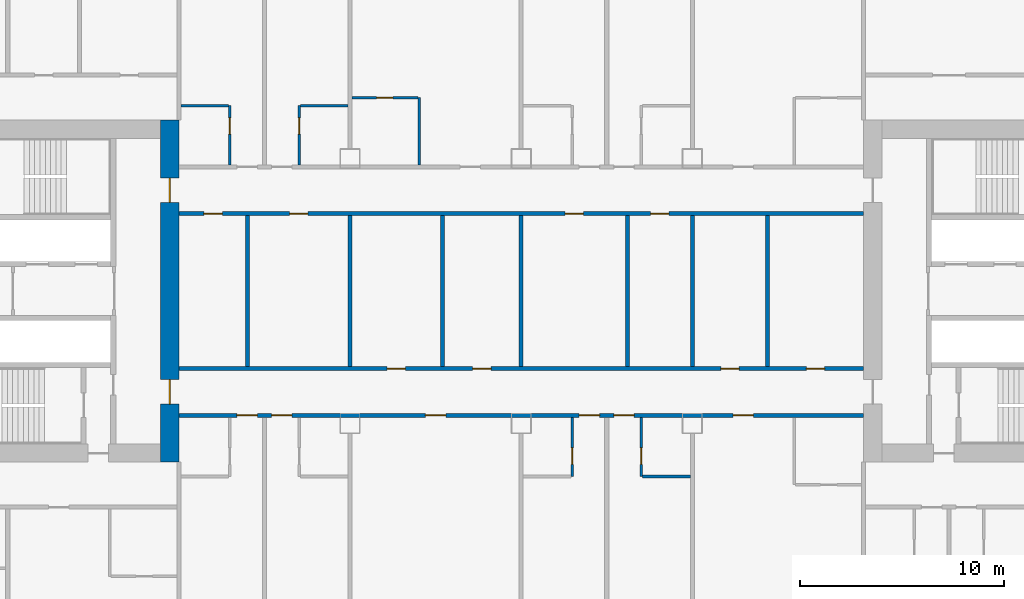
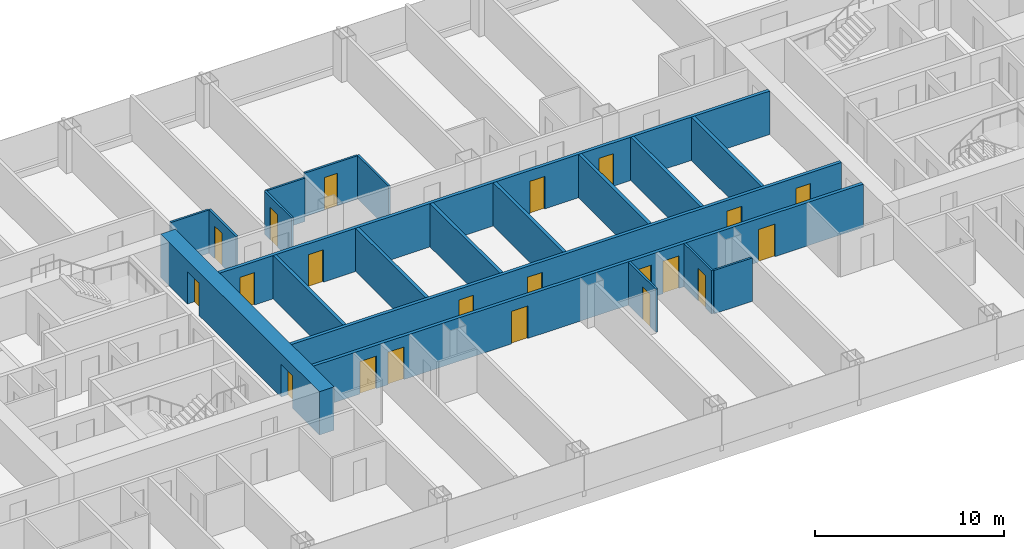
# One storey, part 16 of 29: 21 doors, 20 walls, 21 openings.
"""IFC4 building model written with IfcOpenShell, lengths in metres."""

from ifc_helpers import new_model, si_unit, direction, frame, frame_2d, origin, place, context, subcontext, project, spatial, rectangle, extrude, material, layer, layer_set, type_object, element, fill, save


model = new_model("IFC4")

# Units and contexts
model_context = context("Model", 3, precision=1e-05, world=origin(), true_north=direction((0.0, 1.0)))
body_context = subcontext(model_context, "Body", "Model", "MODEL_VIEW")
ifc_project = project(units=[si_unit("LENGTHUNIT", "METRE"), si_unit("AREAUNIT", "SQUARE_METRE"), si_unit("VOLUMEUNIT", "CUBIC_METRE"), si_unit("PLANEANGLEUNIT", "RADIAN"), si_unit("MASSUNIT", "GRAM", prefix="KILO")], contexts=[model_context])

# Site, building, storey
site_placement = place(None, origin())
site = spatial("IfcSite", under=ifc_project, at=site_placement, CompositionType="ELEMENT")
building_placement = place(site_placement, origin())
building = spatial("IfcBuilding", under=site, at=building_placement, Name="Hakoniwa Tower and Hamabe Station Hall", CompositionType="ELEMENT")
storey_placement = place(building_placement, frame((0.0, 0.0, 29.39990234375)))
storey = spatial("IfcBuildingStorey", under=building, at=storey_placement, Name="L07", CompositionType="ELEMENT", Elevation=29.39990234375)

# Walls
ifc_material_1 = material(Name="Gypsum board partition", Category="gypsum")
ifc_layer_1 = layer(ifc_material_1, 0.125)
ifc_layer_set_1 = layer_set([ifc_layer_1], Name="Bathroom Partition 125")
wall_type_1 = type_object("IfcWallType", Name="Bathroom Partition 125", PredefinedType="PARTITIONING", material=ifc_layer_set_1)
wall_1_placement = place(storey_placement, frame((5.96240234375, -9.10009765625, 0.0), z_axis=(0.0, 0.0, 1.0), x_axis=(1.0, 0.0, 0.0)))
element("IfcWall", 1, at=wall_1_placement, inside=storey, type_object=wall_type_1, Name="GW-L07-018", PredefinedType="PARTITIONING", context=body_context, shape_type="SweptSolid", body=[
    extrude(rectangle(XDim=2.337646484375, YDim=0.125, at=frame_2d((1.1689453125, 0.0))), origin(), (0.0, 0.0, 1.0), 2.800048828125),
])
for number, where, z_axis, x_axis, name in (
    (2, (-16.699951171875, 9.10009765625, 0.0), (0.0, 0.0, 1.0), (1.0, 0.0, 0.0), "GW-L07-035"),
    (3, (-10.83740234375, 9.10009765625, 0.0), (0.0, 0.0, 1.0), (1.0, 0.0, 0.0), "GW-L07-036"),
):
    element("IfcWall", number, at=place(storey_placement, frame(where, z_axis=z_axis, x_axis=x_axis)), inside=storey, type_object=wall_type_1, Name=name, PredefinedType="PARTITIONING", context=body_context, shape_type="SweptSolid", body=[
        extrude(rectangle(XDim=2.33740234375, YDim=0.125, at=frame_2d((1.168701171875, 0.0))), origin(), (0.0, 0.0, 1.0), 2.800048828125),
    ])

# Wall, opening, door
wall_2_placement = place(storey_placement, frame((-8.300048828125, 9.5, 0.0), z_axis=(0.0, 0.0, 1.0), x_axis=(1.0, 0.0, 0.0)))
wall_2 = element("IfcWall", 4, at=wall_2_placement, inside=storey, type_object=wall_type_1, Name="GW-L07-039", PredefinedType="PARTITIONING", context=body_context, shape_type="SweptSolid", body=[
    extrude(rectangle(XDim=3.237548828125, YDim=0.125, at=frame_2d((1.61865234375, 0.0))), origin(), (0.0, 0.0, 1.0), 2.800048828125),
])
opening_1_placement = place(wall_2_placement, frame((1.199951171875, 0.0, 0.0)))
opening_1 = element("IfcOpeningElement", 5, at=opening_1_placement, cuts=wall_2, Name="Opening GD-G1D0-48", PredefinedType="OPENING", context=body_context, shape_type="SweptSolid", body=[
    extrude(rectangle(XDim=0.800048828125, YDim=2.10009765625, at=frame_2d((0.39990234375, 1.050048828125))), frame((0.0, 0.072509765625, 0.0), z_axis=(0.0, -1.0, 0.0), x_axis=(1.0, 0.0, 0.0)), (0.0, 0.0, 1.0), 0.14501953125),
])
ifc_material_2 = material(Name="Timber door leaf", Category="wood")
door_type_1 = type_object("IfcDoorType", Name="Bathroom Door 800", OperationType="SINGLE_SWING_LEFT", PredefinedType="DOOR", material=ifc_material_2)
door_1_placement = place(opening_1_placement, origin())
door_1 = element("IfcDoor", 6, at=door_1_placement, inside=storey, type_object=door_type_1, Name="Door GD-G1D0-48", OperationType="SINGLE_SWING_LEFT", OverallHeight=2.10009765625, OverallWidth=0.800048828125, PredefinedType="DOOR", context=body_context, shape_type="SweptSolid", body=[
    extrude(rectangle(XDim=0.800048828125, YDim=2.10009765625, at=frame_2d((0.39990234375, 1.050048828125))), frame((0.0, 0.02490234375, 0.0), z_axis=(0.0, -1.0, 0.0), x_axis=(1.0, 0.0, 0.0)), (0.0, 0.0, 1.0), 0.050048828125),
])
fill(opening_1, door_1)

wall_3_placement = place(storey_placement, frame((-14.300048828125, 6.199951171875, 0.0), z_axis=(0.0, 0.0, 1.0), x_axis=(0.0, 1.0, 0.0)))
wall_3 = element("IfcWall", 7, at=wall_3_placement, inside=storey, type_object=wall_type_1, Name="GW-L07-067", PredefinedType="PARTITIONING", context=body_context, shape_type="SweptSolid", body=[
    extrude(rectangle(XDim=2.900146484375, YDim=0.125, at=frame_2d((1.4501953125, 0.0))), origin(), (0.0, 0.0, 1.0), 2.800048828125),
])
opening_2_placement = place(wall_3_placement, frame((1.5, 0.0, 0.0)))
opening_2 = element("IfcOpeningElement", 8, at=opening_2_placement, cuts=wall_3, Name="Opening GD-G1D0-67", PredefinedType="OPENING", context=body_context, shape_type="SweptSolid", body=[
    extrude(rectangle(XDim=0.800048828125, YDim=2.10009765625, at=frame_2d((0.39990234375, 1.050048828125))), frame((0.0, 0.072509765625, 0.0), z_axis=(0.0, -1.0, 0.0), x_axis=(1.0, 0.0, 0.0)), (0.0, 0.0, 1.0), 0.14501953125),
])
door_2_placement = place(opening_2_placement, origin())
door_2 = element("IfcDoor", 9, at=door_2_placement, inside=storey, type_object=door_type_1, Name="Door GD-G1D0-67", OperationType="SINGLE_SWING_LEFT", OverallHeight=2.10009765625, OverallWidth=0.800048828125, PredefinedType="DOOR", context=body_context, shape_type="SweptSolid", body=[
    extrude(rectangle(XDim=0.800048828125, YDim=2.10009765625, at=frame_2d((0.39990234375, 1.050048828125))), frame((0.0, 0.02490234375, 0.0), z_axis=(0.0, -1.0, 0.0), x_axis=(1.0, 0.0, 0.0)), (0.0, 0.0, 1.0), 0.050048828125),
])
fill(opening_2, door_2)

wall_4_placement = place(storey_placement, frame((-10.89990234375, 6.199951171875, 0.0), z_axis=(0.0, 0.0, 1.0), x_axis=(0.0, 1.0, 0.0)))
wall_4 = element("IfcWall", 10, at=wall_4_placement, inside=storey, type_object=wall_type_1, Name="GW-L07-072", PredefinedType="PARTITIONING", context=body_context, shape_type="SweptSolid", body=[
    extrude(rectangle(XDim=2.900146484375, YDim=0.125, at=frame_2d((1.4501953125, 0.0))), origin(), (0.0, 0.0, 1.0), 2.800048828125),
])
opening_3_placement = place(wall_4_placement, frame((1.5, 0.0, 0.0)))
opening_3 = element("IfcOpeningElement", 11, at=opening_3_placement, cuts=wall_4, Name="Opening GD-G1D0-69", PredefinedType="OPENING", context=body_context, shape_type="SweptSolid", body=[
    extrude(rectangle(XDim=0.800048828125, YDim=2.10009765625, at=frame_2d((0.39990234375, 1.050048828125))), frame((0.0, 0.072509765625, 0.0), z_axis=(0.0, -1.0, 0.0), x_axis=(1.0, 0.0, 0.0)), (0.0, 0.0, 1.0), 0.14501953125),
])
door_3_placement = place(opening_3_placement, origin())
door_3 = element("IfcDoor", 12, at=door_3_placement, inside=storey, type_object=door_type_1, Name="Door GD-G1D0-69", OperationType="SINGLE_SWING_RIGHT", OverallHeight=2.10009765625, OverallWidth=0.800048828125, PredefinedType="DOOR", context=body_context, shape_type="SweptSolid", body=[
    extrude(rectangle(XDim=0.800048828125, YDim=2.10009765625, at=frame_2d((0.39990234375, 1.050048828125))), frame((0.0, 0.02490234375, 0.0), z_axis=(0.0, -1.0, 0.0), x_axis=(1.0, 0.0, 0.0)), (0.0, 0.0, 1.0), 0.050048828125),
])
fill(opening_3, door_3)

# Wall
wall_5_placement = place(storey_placement, frame((-5.0, 6.199951171875, 0.0), z_axis=(0.0, 0.0, 1.0), x_axis=(0.0, 1.0, 0.0)))
element("IfcWall", 13, at=wall_5_placement, inside=storey, type_object=wall_type_1, Name="GW-L07-076", PredefinedType="PARTITIONING", context=body_context, shape_type="SweptSolid", body=[
    extrude(rectangle(XDim=3.300048828125, YDim=0.125, at=frame_2d((1.64990234375, 0.0))), origin(), (0.0, 0.0, 1.0), 2.800048828125),
])

# Wall, opening, door
wall_6_placement = place(storey_placement, frame((2.5, -9.10009765625, 0.0), z_axis=(0.0, 0.0, 1.0), x_axis=(0.0, 1.0, 0.0)))
wall_6 = element("IfcWall", 14, at=wall_6_placement, inside=storey, type_object=wall_type_1, Name="GW-L07-081", PredefinedType="PARTITIONING", context=body_context, shape_type="SweptSolid", body=[
    extrude(rectangle(XDim=2.900146484375, YDim=0.125, at=frame_2d((1.4501953125, 0.0))), origin(), (0.0, 0.0, 1.0), 2.800048828125),
])
opening_4_placement = place(wall_6_placement, frame((0.60009765625, 0.0, 0.0)))
opening_4 = element("IfcOpeningElement", 15, at=opening_4_placement, cuts=wall_6, Name="Opening GD-G1D0-70", PredefinedType="OPENING", context=body_context, shape_type="SweptSolid", body=[
    extrude(rectangle(XDim=0.800048828125, YDim=2.10009765625, at=frame_2d((0.39990234375, 1.050048828125))), frame((0.0, 0.072509765625, 0.0), z_axis=(0.0, -1.0, 0.0), x_axis=(1.0, 0.0, 0.0)), (0.0, 0.0, 1.0), 0.14501953125),
])
door_4_placement = place(opening_4_placement, origin())
door_4 = element("IfcDoor", 16, at=door_4_placement, inside=storey, type_object=door_type_1, Name="Door GD-G1D0-70", OperationType="SINGLE_SWING_RIGHT", OverallHeight=2.10009765625, OverallWidth=0.800048828125, PredefinedType="DOOR", context=body_context, shape_type="SweptSolid", body=[
    extrude(rectangle(XDim=0.800048828125, YDim=2.10009765625, at=frame_2d((0.39990234375, 1.050048828125))), frame((0.0, 0.02490234375, 0.0), z_axis=(0.0, -1.0, 0.0), x_axis=(1.0, 0.0, 0.0)), (0.0, 0.0, 1.0), 0.050048828125),
])
fill(opening_4, door_4)

wall_7_placement = place(storey_placement, frame((5.89990234375, -9.10009765625, 0.0), z_axis=(0.0, 0.0, 1.0), x_axis=(0.0, 1.0, 0.0)))
wall_7 = element("IfcWall", 17, at=wall_7_placement, inside=storey, type_object=wall_type_1, Name="GW-L07-086", PredefinedType="PARTITIONING", context=body_context, shape_type="SweptSolid", body=[
    extrude(rectangle(XDim=2.900146484375, YDim=0.125, at=frame_2d((1.4501953125, 0.0))), origin(), (0.0, 0.0, 1.0), 2.800048828125),
])
opening_5_placement = place(wall_7_placement, frame((0.60009765625, 0.0, 0.0)))
opening_5 = element("IfcOpeningElement", 18, at=opening_5_placement, cuts=wall_7, Name="Opening GD-G1D0-72", PredefinedType="OPENING", context=body_context, shape_type="SweptSolid", body=[
    extrude(rectangle(XDim=0.800048828125, YDim=2.10009765625, at=frame_2d((0.39990234375, 1.050048828125))), frame((0.0, 0.072509765625, 0.0), z_axis=(0.0, -1.0, 0.0), x_axis=(1.0, 0.0, 0.0)), (0.0, 0.0, 1.0), 0.14501953125),
])
door_5_placement = place(opening_5_placement, origin())
door_5 = element("IfcDoor", 19, at=door_5_placement, inside=storey, type_object=door_type_1, Name="Door GD-G1D0-72", OperationType="SINGLE_SWING_LEFT", OverallHeight=2.10009765625, OverallWidth=0.800048828125, PredefinedType="DOOR", context=body_context, shape_type="SweptSolid", body=[
    extrude(rectangle(XDim=0.800048828125, YDim=2.10009765625, at=frame_2d((0.39990234375, 1.050048828125))), frame((0.0, 0.02490234375, 0.0), z_axis=(0.0, -1.0, 0.0), x_axis=(1.0, 0.0, 0.0)), (0.0, 0.0, 1.0), 0.050048828125),
])
fill(opening_5, door_5)

# Wall, openings, doors
ifc_material_3 = material(Name="Concrete C80", Category="concrete")
ifc_layer_2 = layer(ifc_material_3, 0.89990234375)
ifc_layer_set_2 = layer_set([ifc_layer_2], Name="CORE WALL 900 C80")
wall_type_2 = type_object("IfcWallType", Name="CORE WALL 900 C80", PredefinedType="SHEAR", material=ifc_layer_set_2)
wall_8_placement = place(storey_placement, frame((-17.25, -8.39990234375, 0.0), z_axis=(0.0, 0.0, 1.0), x_axis=(0.0, 1.0, 0.0)))
wall_8 = element("IfcWall", 20, at=wall_8_placement, inside=storey, type_object=wall_type_2, Name="Core wall INNER west", PredefinedType="SHEAR", context=body_context, shape_type="SweptSolid", body=[
    extrude(rectangle(XDim=16.7998046875, YDim=0.89990234375, at=frame_2d((8.39990234375, 0.0))), origin(), (0.0, 0.0, 1.0), 2.800048828125),
])
opening_6_placement = place(wall_8_placement, frame((12.75, 0.0, 0.0)))
opening_6 = element("IfcOpeningElement", 21, at=opening_6_placement, cuts=wall_8, Name="Opening CD-W-IN1-12", PredefinedType="OPENING", context=body_context, shape_type="SweptSolid", body=[
    extrude(rectangle(XDim=1.199951171875, YDim=2.10009765625, at=frame_2d((0.60009765625, 1.050048828125))), frame((0.0, 0.4599609375, 0.0), z_axis=(0.0, -1.0, 0.0), x_axis=(1.0, 0.0, 0.0)), (0.0, 0.0, 1.0), 0.919921875),
])
opening_7_placement = place(wall_8_placement, frame((2.85009765625, 0.0, 0.0)))
opening_7 = element("IfcOpeningElement", 22, at=opening_7_placement, cuts=wall_8, Name="Opening CD-W-IN2-12", PredefinedType="OPENING", context=body_context, shape_type="SweptSolid", body=[
    extrude(rectangle(XDim=1.199951171875, YDim=2.10009765625, at=frame_2d((0.60009765625, 1.050048828125))), frame((0.0, 0.4599609375, 0.0), z_axis=(0.0, -1.0, 0.0), x_axis=(1.0, 0.0, 0.0)), (0.0, 0.0, 1.0), 0.919921875),
])
ifc_material_4 = material(Name="Steel fire door", Category="steel")
door_type_2 = type_object("IfcDoorType", Name="CORE DOOR 1200 FD60", OperationType="DOUBLE_DOOR_SINGLE_SWING", PredefinedType="DOOR", material=ifc_material_4)
door_6_placement = place(opening_6_placement, origin())
door_6 = element("IfcDoor", 23, at=door_6_placement, inside=storey, type_object=door_type_2, Name="Lift lobby door", OperationType="DOUBLE_DOOR_SINGLE_SWING", OverallHeight=2.10009765625, OverallWidth=1.199951171875, PredefinedType="DOOR", context=body_context, shape_type="SweptSolid", body=[
    extrude(rectangle(XDim=1.199951171875, YDim=2.10009765625, at=frame_2d((0.60009765625, 1.050048828125))), frame((0.0, 0.02490234375, 0.0), z_axis=(0.0, -1.0, 0.0), x_axis=(1.0, 0.0, 0.0)), (0.0, 0.0, 1.0), 0.050048828125),
])
fill(opening_6, door_6)
door_7_placement = place(opening_7_placement, origin())
door_7 = element("IfcDoor", 24, at=door_7_placement, inside=storey, type_object=door_type_2, Name="Lift lobby door", OperationType="DOUBLE_DOOR_SINGLE_SWING", OverallHeight=2.10009765625, OverallWidth=1.199951171875, PredefinedType="DOOR", context=body_context, shape_type="SweptSolid", body=[
    extrude(rectangle(XDim=1.199951171875, YDim=2.10009765625, at=frame_2d((0.60009765625, 1.050048828125))), frame((0.0, 0.02490234375, 0.0), z_axis=(0.0, -1.0, 0.0), x_axis=(1.0, 0.0, 0.0)), (0.0, 0.0, 1.0), 0.050048828125),
])
fill(opening_7, door_7)

ifc_material_5 = material(Name="Fire-rated gypsum board partition", Category="gypsum")
ifc_layer_3 = layer(ifc_material_5, 0.199951171875)
ifc_layer_set_3 = layer_set([ifc_layer_3], Name="Corridor Wall 200")
wall_type_3 = type_object("IfcWallType", Name="Corridor Wall 200", PredefinedType="PARTITIONING", material=ifc_layer_set_3)
wall_9_placement = place(storey_placement, frame((-16.800048828125, -6.10009765625, 0.0), z_axis=(0.0, 0.0, 1.0), x_axis=(1.0, 0.0, 0.0)))
wall_9 = element("IfcWall", 25, at=wall_9_placement, inside=storey, type_object=wall_type_3, Name="GW-L07-021", PredefinedType="PARTITIONING", context=body_context, shape_type="SweptSolid", body=[
    extrude(rectangle(XDim=33.60009765625, YDim=0.199951171875, at=frame_2d((16.800048828125, 0.0))), origin(), (0.0, 0.0, 1.0), 2.800048828125),
])
opening_8_placement = place(wall_9_placement, frame((2.85009765625, 0.0, 0.0)))
opening_8 = element("IfcOpeningElement", 26, at=opening_8_placement, cuts=wall_9, Name="Opening GD-G1D0-21", PredefinedType="OPENING", context=body_context, shape_type="SweptSolid", body=[
    extrude(rectangle(XDim=1.0, YDim=2.10009765625, at=frame_2d((0.5, 1.050048828125))), frame((0.0, 0.10986328125, 0.0), z_axis=(0.0, -1.0, 0.0), x_axis=(1.0, 0.0, 0.0)), (0.0, 0.0, 1.0), 0.219970703125),
])
opening_9_placement = place(wall_9_placement, frame((4.550048828125, 0.0, 0.0)))
opening_9 = element("IfcOpeningElement", 27, at=opening_9_placement, cuts=wall_9, Name="Opening GD-G1D0-22", PredefinedType="OPENING", context=body_context, shape_type="SweptSolid", body=[
    extrude(rectangle(XDim=1.0, YDim=2.10009765625, at=frame_2d((0.5, 1.050048828125))), frame((0.0, 0.10986328125, 0.0), z_axis=(0.0, -1.0, 0.0), x_axis=(1.0, 0.0, 0.0)), (0.0, 0.0, 1.0), 0.219970703125),
])
opening_10_placement = place(wall_9_placement, frame((12.10009765625, 0.0, 0.0)))
opening_10 = element("IfcOpeningElement", 28, at=opening_10_placement, cuts=wall_9, Name="Opening GD-G1D0-23", PredefinedType="OPENING", context=body_context, shape_type="SweptSolid", body=[
    extrude(rectangle(XDim=1.0, YDim=2.10009765625, at=frame_2d((0.5, 1.050048828125))), frame((0.0, 0.10986328125, 0.0), z_axis=(0.0, -1.0, 0.0), x_axis=(1.0, 0.0, 0.0)), (0.0, 0.0, 1.0), 0.219970703125),
])
opening_11_placement = place(wall_9_placement, frame((19.64990234375, 0.0, 0.0)))
opening_11 = element("IfcOpeningElement", 29, at=opening_11_placement, cuts=wall_9, Name="Opening GD-G1D0-24", PredefinedType="OPENING", context=body_context, shape_type="SweptSolid", body=[
    extrude(rectangle(XDim=1.0, YDim=2.10009765625, at=frame_2d((0.5, 1.050048828125))), frame((0.0, 0.10986328125, 0.0), z_axis=(0.0, -1.0, 0.0), x_axis=(1.0, 0.0, 0.0)), (0.0, 0.0, 1.0), 0.219970703125),
])
opening_12_placement = place(wall_9_placement, frame((21.35009765625, 0.0, 0.0)))
opening_12 = element("IfcOpeningElement", 30, at=opening_12_placement, cuts=wall_9, Name="Opening GD-G1D0-25", PredefinedType="OPENING", context=body_context, shape_type="SweptSolid", body=[
    extrude(rectangle(XDim=1.0, YDim=2.10009765625, at=frame_2d((0.5, 1.050048828125))), frame((0.0, 0.10986328125, 0.0), z_axis=(0.0, -1.0, 0.0), x_axis=(1.0, 0.0, 0.0)), (0.0, 0.0, 1.0), 0.219970703125),
])
opening_13_placement = place(wall_9_placement, frame((27.199951171875, 0.0, 0.0)))
opening_13 = element("IfcOpeningElement", 31, at=opening_13_placement, cuts=wall_9, Name="Opening GD-G1D0-26", PredefinedType="OPENING", context=body_context, shape_type="SweptSolid", body=[
    extrude(rectangle(XDim=1.0, YDim=2.10009765625, at=frame_2d((0.5, 1.050048828125))), frame((0.0, 0.10986328125, 0.0), z_axis=(0.0, -1.0, 0.0), x_axis=(1.0, 0.0, 0.0)), (0.0, 0.0, 1.0), 0.219970703125),
])
ifc_material_6 = material(Name="Timber door leaf", Category="wood")
door_type_3 = type_object("IfcDoorType", Name="Guest Entrance Door 1000", OperationType="SINGLE_SWING_LEFT", PredefinedType="DOOR", material=ifc_material_6)
door_8_placement = place(opening_8_placement, origin())
door_8 = element("IfcDoor", 32, at=door_8_placement, inside=storey, type_object=door_type_3, Name="Door GD-G1D0-21", OperationType="SINGLE_SWING_RIGHT", OverallHeight=2.10009765625, OverallWidth=1.0, PredefinedType="DOOR", context=body_context, shape_type="SweptSolid", body=[
    extrude(rectangle(XDim=1.0, YDim=2.10009765625, at=frame_2d((0.5, 1.050048828125))), frame((0.0, 0.02490234375, 0.0), z_axis=(0.0, -1.0, 0.0), x_axis=(1.0, 0.0, 0.0)), (0.0, 0.0, 1.0), 0.050048828125),
])
fill(opening_8, door_8)
door_9_placement = place(opening_9_placement, origin())
door_9 = element("IfcDoor", 33, at=door_9_placement, inside=storey, type_object=door_type_3, Name="Door GD-G1D0-22", OperationType="SINGLE_SWING_LEFT", OverallHeight=2.10009765625, OverallWidth=1.0, PredefinedType="DOOR", context=body_context, shape_type="SweptSolid", body=[
    extrude(rectangle(XDim=1.0, YDim=2.10009765625, at=frame_2d((0.5, 1.050048828125))), frame((0.0, 0.02490234375, 0.0), z_axis=(0.0, -1.0, 0.0), x_axis=(1.0, 0.0, 0.0)), (0.0, 0.0, 1.0), 0.050048828125),
])
fill(opening_9, door_9)
door_10_placement = place(opening_10_placement, origin())
door_10 = element("IfcDoor", 34, at=door_10_placement, inside=storey, type_object=door_type_3, Name="Door GD-G1D0-23", OperationType="SINGLE_SWING_RIGHT", OverallHeight=2.10009765625, OverallWidth=1.0, PredefinedType="DOOR", context=body_context, shape_type="SweptSolid", body=[
    extrude(rectangle(XDim=1.0, YDim=2.10009765625, at=frame_2d((0.5, 1.050048828125))), frame((0.0, 0.02490234375, 0.0), z_axis=(0.0, -1.0, 0.0), x_axis=(1.0, 0.0, 0.0)), (0.0, 0.0, 1.0), 0.050048828125),
])
fill(opening_10, door_10)
door_11_placement = place(opening_11_placement, origin())
door_11 = element("IfcDoor", 35, at=door_11_placement, inside=storey, type_object=door_type_3, Name="Door GD-G1D0-24", OperationType="SINGLE_SWING_LEFT", OverallHeight=2.10009765625, OverallWidth=1.0, PredefinedType="DOOR", context=body_context, shape_type="SweptSolid", body=[
    extrude(rectangle(XDim=1.0, YDim=2.10009765625, at=frame_2d((0.5, 1.050048828125))), frame((0.0, 0.02490234375, 0.0), z_axis=(0.0, -1.0, 0.0), x_axis=(1.0, 0.0, 0.0)), (0.0, 0.0, 1.0), 0.050048828125),
])
fill(opening_11, door_11)
door_12_placement = place(opening_12_placement, origin())
door_12 = element("IfcDoor", 36, at=door_12_placement, inside=storey, type_object=door_type_3, Name="Door GD-G1D0-25", OperationType="SINGLE_SWING_RIGHT", OverallHeight=2.10009765625, OverallWidth=1.0, PredefinedType="DOOR", context=body_context, shape_type="SweptSolid", body=[
    extrude(rectangle(XDim=1.0, YDim=2.10009765625, at=frame_2d((0.5, 1.050048828125))), frame((0.0, 0.02490234375, 0.0), z_axis=(0.0, -1.0, 0.0), x_axis=(1.0, 0.0, 0.0)), (0.0, 0.0, 1.0), 0.050048828125),
])
fill(opening_12, door_12)
door_13_placement = place(opening_13_placement, origin())
door_13 = element("IfcDoor", 37, at=door_13_placement, inside=storey, type_object=door_type_3, Name="Door GD-G1D0-26", OperationType="SINGLE_SWING_LEFT", OverallHeight=2.10009765625, OverallWidth=1.0, PredefinedType="DOOR", context=body_context, shape_type="SweptSolid", body=[
    extrude(rectangle(XDim=1.0, YDim=2.10009765625, at=frame_2d((0.5, 1.050048828125))), frame((0.0, 0.02490234375, 0.0), z_axis=(0.0, -1.0, 0.0), x_axis=(1.0, 0.0, 0.0)), (0.0, 0.0, 1.0), 0.050048828125),
])
fill(opening_13, door_13)

wall_10_placement = place(storey_placement, frame((-16.800048828125, -3.800048828125, 0.0), z_axis=(0.0, 0.0, 1.0), x_axis=(1.0, 0.0, 0.0)))
wall_10 = element("IfcWall", 38, at=wall_10_placement, inside=storey, type_object=wall_type_3, Name="GW-L07-026", PredefinedType="PARTITIONING", context=body_context, shape_type="SweptSolid", body=[
    extrude(rectangle(XDim=33.60009765625, YDim=0.199951171875, at=frame_2d((16.800048828125, 0.0))), origin(), (0.0, 0.0, 1.0), 2.800048828125),
])
opening_14_placement = place(wall_10_placement, frame((10.219970703125, 0.0, 0.0)))
opening_14 = element("IfcOpeningElement", 39, at=opening_14_placement, cuts=wall_10, Name="Opening GD-G1D0-31", PredefinedType="OPENING", context=body_context, shape_type="SweptSolid", body=[
    extrude(rectangle(XDim=0.89990234375, YDim=2.10009765625, at=frame_2d((0.449951171875, 1.050048828125))), frame((0.0, 0.10986328125, 0.0), z_axis=(0.0, -1.0, 0.0), x_axis=(1.0, 0.0, 0.0)), (0.0, 0.0, 1.0), 0.219970703125),
])
opening_15_placement = place(wall_10_placement, frame((14.419921875, 0.0, 0.0)))
opening_15 = element("IfcOpeningElement", 40, at=opening_15_placement, cuts=wall_10, Name="Opening GD-G1D0-32", PredefinedType="OPENING", context=body_context, shape_type="SweptSolid", body=[
    extrude(rectangle(XDim=0.89990234375, YDim=2.10009765625, at=frame_2d((0.449951171875, 1.050048828125))), frame((0.0, 0.10986328125, 0.0), z_axis=(0.0, -1.0, 0.0), x_axis=(1.0, 0.0, 0.0)), (0.0, 0.0, 1.0), 0.219970703125),
])
opening_16_placement = place(wall_10_placement, frame((26.60009765625, 0.0, 0.0)))
opening_16 = element("IfcOpeningElement", 41, at=opening_16_placement, cuts=wall_10, Name="Opening GD-G1D0-33", PredefinedType="OPENING", context=body_context, shape_type="SweptSolid", body=[
    extrude(rectangle(XDim=0.89990234375, YDim=2.10009765625, at=frame_2d((0.449951171875, 1.050048828125))), frame((0.0, 0.10986328125, 0.0), z_axis=(0.0, -1.0, 0.0), x_axis=(1.0, 0.0, 0.0)), (0.0, 0.0, 1.0), 0.219970703125),
])
opening_17_placement = place(wall_10_placement, frame((30.800048828125, 0.0, 0.0)))
opening_17 = element("IfcOpeningElement", 42, at=opening_17_placement, cuts=wall_10, Name="Opening GD-G1D0-34", PredefinedType="OPENING", context=body_context, shape_type="SweptSolid", body=[
    extrude(rectangle(XDim=0.89990234375, YDim=2.10009765625, at=frame_2d((0.449951171875, 1.050048828125))), frame((0.0, 0.10986328125, 0.0), z_axis=(0.0, -1.0, 0.0), x_axis=(1.0, 0.0, 0.0)), (0.0, 0.0, 1.0), 0.219970703125),
])
ifc_material_7 = material(Name="Timber door leaf", Category="wood")
door_type_4 = type_object("IfcDoorType", Name="Service Door 900", OperationType="SINGLE_SWING_LEFT", PredefinedType="DOOR", material=ifc_material_7)
door_14_placement = place(opening_14_placement, origin())
door_14 = element("IfcDoor", 43, at=door_14_placement, inside=storey, type_object=door_type_4, Name="Door GD-G1D0-31", OperationType="SINGLE_SWING_RIGHT", OverallHeight=2.10009765625, OverallWidth=0.89990234375, PredefinedType="DOOR", context=body_context, shape_type="SweptSolid", body=[
    extrude(rectangle(XDim=0.89990234375, YDim=2.10009765625, at=frame_2d((0.449951171875, 1.050048828125))), frame((0.0, 0.02490234375, 0.0), z_axis=(0.0, -1.0, 0.0), x_axis=(1.0, 0.0, 0.0)), (0.0, 0.0, 1.0), 0.050048828125),
])
fill(opening_14, door_14)
door_15_placement = place(opening_15_placement, origin())
door_15 = element("IfcDoor", 44, at=door_15_placement, inside=storey, type_object=door_type_4, Name="Door GD-G1D0-32", OperationType="SINGLE_SWING_LEFT", OverallHeight=2.10009765625, OverallWidth=0.89990234375, PredefinedType="DOOR", context=body_context, shape_type="SweptSolid", body=[
    extrude(rectangle(XDim=0.89990234375, YDim=2.10009765625, at=frame_2d((0.449951171875, 1.050048828125))), frame((0.0, 0.02490234375, 0.0), z_axis=(0.0, -1.0, 0.0), x_axis=(1.0, 0.0, 0.0)), (0.0, 0.0, 1.0), 0.050048828125),
])
fill(opening_15, door_15)
door_16_placement = place(opening_16_placement, origin())
door_16 = element("IfcDoor", 45, at=door_16_placement, inside=storey, type_object=door_type_4, Name="Door GD-G1D0-33", OperationType="SINGLE_SWING_RIGHT", OverallHeight=2.10009765625, OverallWidth=0.89990234375, PredefinedType="DOOR", context=body_context, shape_type="SweptSolid", body=[
    extrude(rectangle(XDim=0.89990234375, YDim=2.10009765625, at=frame_2d((0.449951171875, 1.050048828125))), frame((0.0, 0.02490234375, 0.0), z_axis=(0.0, -1.0, 0.0), x_axis=(1.0, 0.0, 0.0)), (0.0, 0.0, 1.0), 0.050048828125),
])
fill(opening_16, door_16)
door_17_placement = place(opening_17_placement, origin())
door_17 = element("IfcDoor", 46, at=door_17_placement, inside=storey, type_object=door_type_4, Name="Door GD-G1D0-34", OperationType="SINGLE_SWING_LEFT", OverallHeight=2.10009765625, OverallWidth=0.89990234375, PredefinedType="DOOR", context=body_context, shape_type="SweptSolid", body=[
    extrude(rectangle(XDim=0.89990234375, YDim=2.10009765625, at=frame_2d((0.449951171875, 1.050048828125))), frame((0.0, 0.02490234375, 0.0), z_axis=(0.0, -1.0, 0.0), x_axis=(1.0, 0.0, 0.0)), (0.0, 0.0, 1.0), 0.050048828125),
])
fill(opening_17, door_17)

wall_11_placement = place(storey_placement, frame((-16.800048828125, 3.800048828125, 0.0), z_axis=(0.0, 0.0, 1.0), x_axis=(1.0, 0.0, 0.0)))
wall_11 = element("IfcWall", 47, at=wall_11_placement, inside=storey, type_object=wall_type_3, Name="GW-L07-029", PredefinedType="PARTITIONING", context=body_context, shape_type="SweptSolid", body=[
    extrude(rectangle(XDim=33.60009765625, YDim=0.199951171875, at=frame_2d((16.800048828125, 0.0))), origin(), (0.0, 0.0, 1.0), 2.800048828125),
])
opening_18_placement = place(wall_11_placement, frame((1.22998046875, 0.0, 0.0)))
opening_18 = element("IfcOpeningElement", 48, at=opening_18_placement, cuts=wall_11, Name="Opening GD-G1D0-35", PredefinedType="OPENING", context=body_context, shape_type="SweptSolid", body=[
    extrude(rectangle(XDim=0.89990234375, YDim=2.10009765625, at=frame_2d((0.449951171875, 1.050048828125))), frame((0.0, 0.10986328125, 0.0), z_axis=(0.0, -1.0, 0.0), x_axis=(1.0, 0.0, 0.0)), (0.0, 0.0, 1.0), 0.219970703125),
])
opening_19_placement = place(wall_11_placement, frame((5.429931640625, 0.0, 0.0)))
opening_19 = element("IfcOpeningElement", 49, at=opening_19_placement, cuts=wall_11, Name="Opening GD-G1D0-36", PredefinedType="OPENING", context=body_context, shape_type="SweptSolid", body=[
    extrude(rectangle(XDim=0.89990234375, YDim=2.10009765625, at=frame_2d((0.449951171875, 1.050048828125))), frame((0.0, 0.10986328125, 0.0), z_axis=(0.0, -1.0, 0.0), x_axis=(1.0, 0.0, 0.0)), (0.0, 0.0, 1.0), 0.219970703125),
])
opening_20_placement = place(wall_11_placement, frame((18.955078125, 0.0, 0.0)))
opening_20 = element("IfcOpeningElement", 50, at=opening_20_placement, cuts=wall_11, Name="Opening GD-G1D0-37", PredefinedType="OPENING", context=body_context, shape_type="SweptSolid", body=[
    extrude(rectangle(XDim=0.89990234375, YDim=2.10009765625, at=frame_2d((0.449951171875, 1.050048828125))), frame((0.0, 0.10986328125, 0.0), z_axis=(0.0, -1.0, 0.0), x_axis=(1.0, 0.0, 0.0)), (0.0, 0.0, 1.0), 0.219970703125),
])
opening_21_placement = place(wall_11_placement, frame((23.155029296875, 0.0, 0.0)))
opening_21 = element("IfcOpeningElement", 51, at=opening_21_placement, cuts=wall_11, Name="Opening GD-G1D0-38", PredefinedType="OPENING", context=body_context, shape_type="SweptSolid", body=[
    extrude(rectangle(XDim=0.89990234375, YDim=2.10009765625, at=frame_2d((0.449951171875, 1.050048828125))), frame((0.0, 0.10986328125, 0.0), z_axis=(0.0, -1.0, 0.0), x_axis=(1.0, 0.0, 0.0)), (0.0, 0.0, 1.0), 0.219970703125),
])
door_18_placement = place(opening_18_placement, origin())
door_18 = element("IfcDoor", 52, at=door_18_placement, inside=storey, type_object=door_type_4, Name="Door GD-G1D0-35", OperationType="SINGLE_SWING_RIGHT", OverallHeight=2.10009765625, OverallWidth=0.89990234375, PredefinedType="DOOR", context=body_context, shape_type="SweptSolid", body=[
    extrude(rectangle(XDim=0.89990234375, YDim=2.10009765625, at=frame_2d((0.449951171875, 1.050048828125))), frame((0.0, 0.02490234375, 0.0), z_axis=(0.0, -1.0, 0.0), x_axis=(1.0, 0.0, 0.0)), (0.0, 0.0, 1.0), 0.050048828125),
])
fill(opening_18, door_18)
door_19_placement = place(opening_19_placement, origin())
door_19 = element("IfcDoor", 53, at=door_19_placement, inside=storey, type_object=door_type_4, Name="Door GD-G1D0-36", OperationType="SINGLE_SWING_RIGHT", OverallHeight=2.10009765625, OverallWidth=0.89990234375, PredefinedType="DOOR", context=body_context, shape_type="SweptSolid", body=[
    extrude(rectangle(XDim=0.89990234375, YDim=2.10009765625, at=frame_2d((0.449951171875, 1.050048828125))), frame((0.0, 0.02490234375, 0.0), z_axis=(0.0, -1.0, 0.0), x_axis=(1.0, 0.0, 0.0)), (0.0, 0.0, 1.0), 0.050048828125),
])
fill(opening_19, door_19)
door_20_placement = place(opening_20_placement, origin())
door_20 = element("IfcDoor", 54, at=door_20_placement, inside=storey, type_object=door_type_4, Name="Door GD-G1D0-37", OperationType="SINGLE_SWING_LEFT", OverallHeight=2.10009765625, OverallWidth=0.89990234375, PredefinedType="DOOR", context=body_context, shape_type="SweptSolid", body=[
    extrude(rectangle(XDim=0.89990234375, YDim=2.10009765625, at=frame_2d((0.449951171875, 1.050048828125))), frame((0.0, 0.02490234375, 0.0), z_axis=(0.0, -1.0, 0.0), x_axis=(1.0, 0.0, 0.0)), (0.0, 0.0, 1.0), 0.050048828125),
])
fill(opening_20, door_20)
door_21_placement = place(opening_21_placement, origin())
door_21 = element("IfcDoor", 55, at=door_21_placement, inside=storey, type_object=door_type_4, Name="Door GD-G1D0-38", OperationType="SINGLE_SWING_RIGHT", OverallHeight=2.10009765625, OverallWidth=0.89990234375, PredefinedType="DOOR", context=body_context, shape_type="SweptSolid", body=[
    extrude(rectangle(XDim=0.89990234375, YDim=2.10009765625, at=frame_2d((0.449951171875, 1.050048828125))), frame((0.0, 0.02490234375, 0.0), z_axis=(0.0, -1.0, 0.0), x_axis=(1.0, 0.0, 0.0)), (0.0, 0.0, 1.0), 0.050048828125),
])
fill(opening_21, door_21)

# Walls
ifc_material_8 = material(Name="Fire-rated gypsum board partition", Category="gypsum")
ifc_layer_4 = layer(ifc_material_8, 0.199951171875)
ifc_layer_set_4 = layer_set([ifc_layer_4], Name="Party Wall 200")
wall_type_4 = type_object("IfcWallType", Name="Party Wall 200", PredefinedType="PARTITIONING", material=ifc_layer_set_4)
for number, where, z_axis, x_axis, name in (
    (56, (-13.43994140625, -3.699951171875, 0.0), (0.0, 0.0, 1.0), (0.0, 1.0, 0.0), "GW-L07-068"),
    (57, (-8.39990234375, -3.699951171875, 0.0), (0.0, 0.0, 1.0), (0.0, 1.0, 0.0), "GW-L07-074"),
    (58, (-3.860107421875, -3.699951171875, 0.0), (0.0, 0.0, 1.0), (0.0, 1.0, 0.0), "GW-L07-077"),
    (59, (0.0, -3.699951171875, 0.0), (0.0, 0.0, 1.0), (0.0, 1.0, 0.0), "GW-L07-079"),
    (60, (5.2099609375, -3.699951171875, 0.0), (0.0, 0.0, 1.0), (0.0, 1.0, 0.0), "GW-L07-085"),
    (61, (8.39990234375, -3.699951171875, 0.0), (0.0, 0.0, 1.0), (0.0, 1.0, 0.0), "GW-L07-089"),
    (62, (12.10009765625, -3.699951171875, 0.0), (0.0, 0.0, 1.0), (0.0, 1.0, 0.0), "GW-L07-091"),
):
    element("IfcWall", number, at=place(storey_placement, frame(where, z_axis=z_axis, x_axis=x_axis)), inside=storey, type_object=wall_type_4, Name=name, PredefinedType="PARTITIONING", context=body_context, shape_type="SweptSolid", body=[
        extrude(rectangle(XDim=7.39990234375, YDim=0.199951171875, at=frame_2d((3.699951171875, 0.0))), origin(), (0.0, 0.0, 1.0), 2.800048828125),
    ])

save(model, "model.ifc")
